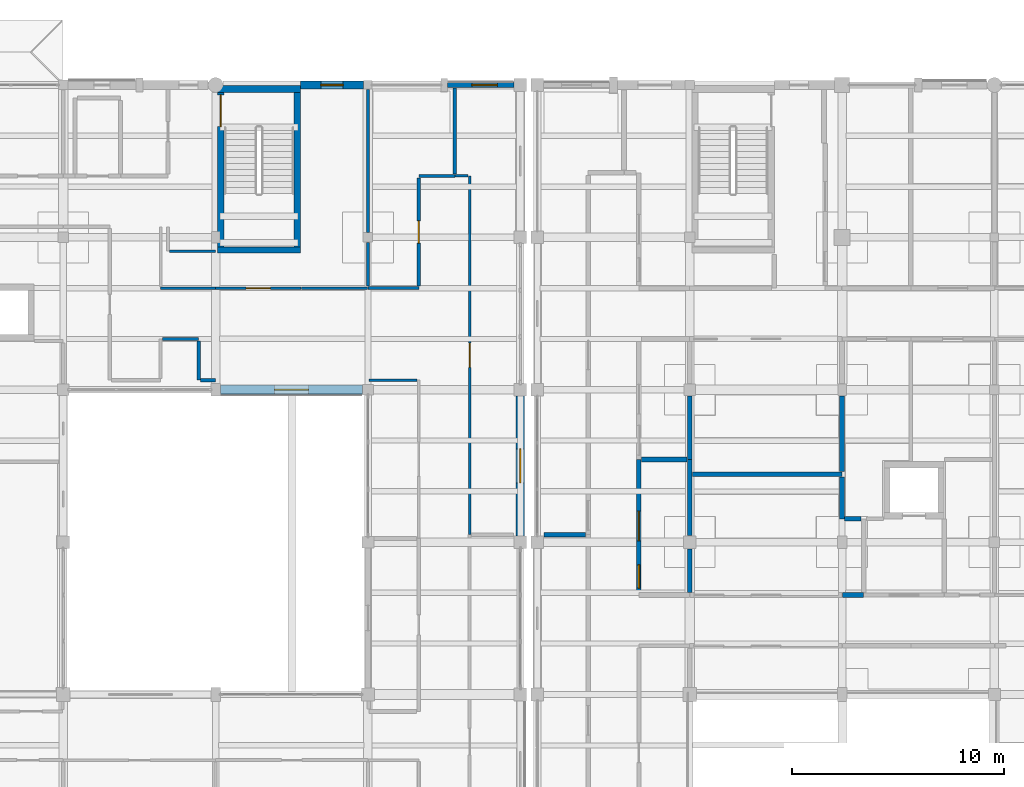
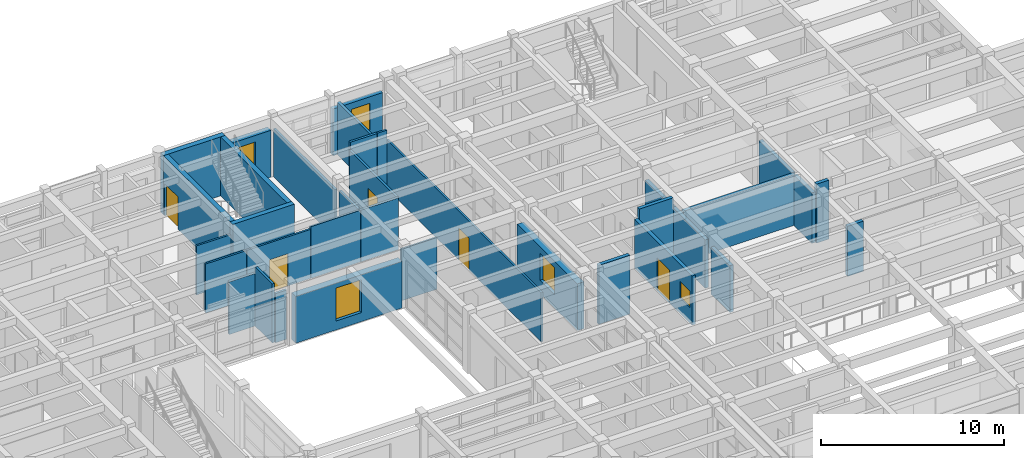
# One storey, part 90 of 110: 35 walls, 5 doors, 5 windows, 10 openings.
"""IFC4 building model written with IfcOpenShell, lengths in metres."""

import ifcopenshell
import ifcopenshell.guid

model = None  # the IFC model being written
_history = None  # IfcOwnerHistory: only IFC2X3 demands one
_inside = {}  # id of a spatial element -> (the spatial element, [elements in it])
_under = {}  # id of a project, library or spatial element -> (it, [spatial elements below it])
_declared = {}  # id of a project -> (the project, [libraries it declares])
_typed = {}  # id of a type object -> (the type object, [elements of that type])
_made_of = {}  # id of a material, layer set ... -> (it, [elements and type objects made of it])


def new_model(schema):
    """Start an empty IFC model of exactly this schema.

    Asked for "IFC4X3", IfcOpenShell would pick the latest addendum, in which some entities
    have other attributes; the version numbers below select the first issue.
    IFC2X3 requires an IfcOwnerHistory on every rooted entity: one is made here for all.
    """
    global model, _history
    if schema == "IFC4X3":
        model = ifcopenshell.file(schema_version=(4, 3, 0, 0))
    else:
        model = ifcopenshell.file(schema=schema)
    _inside.clear()
    _under.clear()
    _declared.clear()
    _typed.clear()
    _made_of.clear()
    _history = None
    if model.schema == "IFC2X3":
        org = make("IfcOrganization", Name="unknown")
        user = make(
            "IfcPersonAndOrganization",
            ThePerson=make("IfcPerson", FamilyName="unknown"),
            TheOrganization=org,
        )
        app = make(
            "IfcApplication",
            ApplicationDeveloper=org,
            Version="unknown",
            ApplicationFullName="unknown",
            ApplicationIdentifier="unknown",
        )
        _history = make(
            "IfcOwnerHistory",
            OwningUser=user,
            OwningApplication=app,
            ChangeAction="ADDED",
            CreationDate=0,
        )
    return model


def make(cls, **values):
    """One entity of the class cls with the attributes given. An attribute that is None is left unset."""
    return model.create_entity(
        cls, **{name: value for name, value in values.items() if value is not None}
    )


def rooted(cls, **values):
    """An entity with a GlobalId (a new one), such as an element, a storey or a relation."""
    return make(cls, GlobalId=ifcopenshell.guid.new(), OwnerHistory=_history, **values)


def si_unit(unit_type, name, prefix=None):
    """IfcSIUnit, for example si_unit("LENGTHUNIT", "METRE", prefix="MILLI")."""
    return make("IfcSIUnit", UnitType=unit_type, Prefix=prefix, Name=name)


def assignment(units):
    """IfcUnitAssignment: the units of a project."""
    return None if units is None else make("IfcUnitAssignment", Units=units)


def point(xyz):
    """IfcCartesianPoint."""
    return None if xyz is None else make("IfcCartesianPoint", Coordinates=xyz)


def direction(xyz):
    """IfcDirection."""
    return None if xyz is None else make("IfcDirection", DirectionRatios=xyz)


def frame(location, z_axis=None, x_axis=None):
    """IfcAxis2Placement3D, a coordinate frame: its origin and axes. An axis left out is left unset."""
    return make(
        "IfcAxis2Placement3D",
        Location=point(location),
        Axis=direction(z_axis),
        RefDirection=direction(x_axis),
    )


def frame_2d(location, x_axis=None):
    """IfcAxis2Placement2D, a coordinate frame in the plane: its origin and x axis."""
    return make(
        "IfcAxis2Placement2D", Location=point(location), RefDirection=direction(x_axis)
    )


def origin():
    """The frame at (0, 0, 0) with its axes left unset."""
    return frame((0.0, 0.0, 0.0))


def place(relative_to, where):
    """IfcLocalPlacement: puts the frame where relative to a parent placement (None: the world)."""
    return make(
        "IfcLocalPlacement", PlacementRelTo=relative_to, RelativePlacement=where
    )


def context(
    kind, dimensions, precision=None, world=None, true_north=None, identifier=None
):
    """IfcGeometricRepresentationContext, for example the 3D "Model" context."""
    return make(
        "IfcGeometricRepresentationContext",
        ContextIdentifier=identifier,
        ContextType=kind,
        CoordinateSpaceDimension=dimensions,
        Precision=precision,
        WorldCoordinateSystem=world,
        TrueNorth=true_north,
    )


def subcontext(parent, identifier, kind, view, scale=None):
    """IfcGeometricRepresentationSubContext, for example "Body" below "Model"."""
    return make(
        "IfcGeometricRepresentationSubContext",
        ContextIdentifier=identifier,
        ContextType=kind,
        ParentContext=parent,
        TargetScale=scale,
        TargetView=view,
    )


def project(units=None, contexts=None):
    """IfcProject with its units and contexts."""
    return rooted(
        "IfcProject",
        Name="project",
        RepresentationContexts=contexts,
        UnitsInContext=assignment(units),
    )


def spatial(cls, under=None, at=None, **own):
    """A site, building, storey or space (cls), placed at a placement, below another one or the project."""
    s = rooted(cls, ObjectPlacement=at, **own)
    if under is not None:
        _under.setdefault(under.id(), (under, []))[1].append(s)
    return s


def profile(cls, at=None, kind="AREA", **sizes):
    """A parametric profile (cls). Its sizes go by their IFC names, for example OverallWidth=200.0."""
    return make(cls, ProfileType=kind, Position=at, **sizes)


def rectangle(**sizes):
    """IfcRectangleProfileDef."""
    return profile("IfcRectangleProfileDef", **sizes)


def extrude(swept, where, along, depth):
    """IfcExtrudedAreaSolid: the profile swept, set in the frame where, extruded along a direction by depth."""
    return make(
        "IfcExtrudedAreaSolid",
        SweptArea=swept,
        Position=where,
        ExtrudedDirection=direction(along),
        Depth=depth,
    )


def shape(context_of_items, identifier, shape_type, items):
    """IfcShapeRepresentation: the items that make up one representation, for example the "Body"."""
    return make(
        "IfcShapeRepresentation",
        ContextOfItems=context_of_items,
        RepresentationIdentifier=identifier,
        RepresentationType=shape_type,
        Items=items,
    )


def material(Name=None, Category=None):
    """IfcMaterial."""
    return make("IfcMaterial", Name=Name, Category=Category)


def layer(
    of_material, thickness, ventilated=None, Name=None, Category=None, Priority=None
):
    """IfcMaterialLayer: one layer of a wall or slab, of a material (None: an air gap)."""
    return make(
        "IfcMaterialLayer",
        Material=of_material,
        LayerThickness=thickness,
        IsVentilated=ventilated,
        Name=Name,
        Category=Category,
        Priority=Priority,
    )


def layer_set(layers, Name=None):
    """IfcMaterialLayerSet."""
    return make("IfcMaterialLayerSet", MaterialLayers=layers, LayerSetName=Name)


def made_of(thing, what):
    """Note that an element or type object is made of a material, layer set ...; save() writes the relation."""
    if what is not None:
        _made_of.setdefault(what.id(), (what, []))[1].append(thing)
    return thing


def type_object(cls, material=None, **own):
    """A type object (cls), such as IfcWallType, which elements share."""
    return made_of(rooted(cls, **own), material)


def element(
    cls,
    number,
    at=None,
    inside=None,
    cuts=None,
    type_object=None,
    material=None,
    context=None,
    identifier="Body",
    shape_type=None,
    held_by="IfcProductDefinitionShape",
    body=None,
    shapes=None,
    **own,
):
    """One element of the class cls, such as IfcWall. Its Tag is "e" and its number.

    at: its placement. inside: the storey or other place that contains it. cuts: it is an
    opening in that element (IfcRelVoidsElement). A single representation is given by context,
    identifier, shape_type and body (its items); several are given by shapes. held_by: the class
    of the entity that holds the representations. save() writes the other relations.
    """
    e = rooted(cls, Tag="e%d" % number, ObjectPlacement=at, **own)
    if body is not None:
        shapes = [shape(context, identifier, shape_type, body)]
    if shapes is not None:
        e.Representation = make(held_by, Representations=shapes)
    if inside is not None:
        _inside.setdefault(inside.id(), (inside, []))[1].append(e)
    if cuts is not None:
        rooted(
            "IfcRelVoidsElement", RelatingBuildingElement=cuts, RelatedOpeningElement=e
        )
    if type_object is not None:
        _typed.setdefault(type_object.id(), (type_object, []))[1].append(e)
    return made_of(e, material)


def fill(opening, filler):
    """IfcRelFillsElement: the door or window that sits in an opening."""
    return rooted(
        "IfcRelFillsElement",
        RelatingOpeningElement=opening,
        RelatedBuildingElement=filler,
    )


def aggregate(whole, parts):
    """IfcRelAggregates: a whole, such as a stair, and the parts it consists of."""
    return rooted("IfcRelAggregates", RelatingObject=whole, RelatedObjects=parts)


def save(model, path):
    """Write the relations noted so far, then the file.

    IfcRelAggregates (storeys below a building ...), IfcRelContainedInSpatialStructure (elements
    in a storey), IfcRelDefinesByType, IfcRelAssociatesMaterial and IfcRelDeclares: one each for
    every whole, place, type object, material and project.
    """
    for whole, parts in _under.values():
        aggregate(whole, parts)
    for where, things in _inside.values():
        rooted(
            "IfcRelContainedInSpatialStructure",
            RelatedElements=things,
            RelatingStructure=where,
        )
    for kind, things in _typed.values():
        rooted("IfcRelDefinesByType", RelatedObjects=things, RelatingType=kind)
    for what, things in _made_of.values():
        rooted("IfcRelAssociatesMaterial", RelatedObjects=things, RelatingMaterial=what)
    for by, libraries in _declared.values():
        rooted("IfcRelDeclares", RelatingContext=by, RelatedDefinitions=libraries)
    model.write(path)


model = new_model("IFC4")

# Units and contexts
model_context = context("Model", 3, precision=1e-05, world=origin(), true_north=direction((0.0, 1.0)))
body_context = subcontext(model_context, "Body", "Model", "MODEL_VIEW")
ifc_project = project(units=[si_unit("LENGTHUNIT", "METRE"), si_unit("AREAUNIT", "SQUARE_METRE"), si_unit("VOLUMEUNIT", "CUBIC_METRE"), si_unit("PLANEANGLEUNIT", "RADIAN"), si_unit("MASSUNIT", "GRAM", prefix="KILO")], contexts=[model_context])

# Site, building, storey
site_placement = place(None, origin())
site = spatial("IfcSite", under=ifc_project, at=site_placement, CompositionType="ELEMENT")
building_placement = place(site_placement, origin())
building = spatial("IfcBuilding", under=site, at=building_placement, Name="Steenspoor Specialist Clinic", CompositionType="ELEMENT")
storey_placement = place(building_placement, frame((0.0, 0.0, 4.800048828125)))
storey = spatial("IfcBuildingStorey", under=building, at=storey_placement, Name="L01", CompositionType="ELEMENT", Elevation=4.800048828125)

# Wall, opening, window
ifc_material_1 = material(Name="Extruded clay brick masonry", Category="masonry")
ifc_layer_1 = layer(ifc_material_1, 0.3798828125)
ifc_layer_set_1 = layer_set([ifc_layer_1], Name="Extruded clay brick masonry")
wall_type_1 = type_object("IfcWallType", Name="W-BRICK-380", PredefinedType="USERDEFINED", material=ifc_layer_set_1)
wall_1_placement = place(storey_placement, frame((106.800048828125, 108.35009765625, 0.0), z_axis=(0.0, 0.0, 1.0), x_axis=(1.0, 0.0, 0.0)))
wall_1 = element("IfcWall", 1, at=wall_1_placement, inside=storey, type_object=wall_type_1, Name="Exterior Brick Wall EW-V4-L01-0125", ObjectType="CAVITY VENEER", PredefinedType="USERDEFINED", context=body_context, shape_type="SweptSolid", body=[
    extrude(rectangle(XDim=3.0, YDim=0.3798828125, at=frame_2d((1.5, 0.0))), origin(), (0.0, 0.0, 1.0), 3.1298828125),
])
opening_1_placement = place(wall_1_placement, frame((0.97509765625, 0.0, 0.89990234375)))
opening_1 = element("IfcOpeningElement", 2, at=opening_1_placement, cuts=wall_1, Name="Opening WN-04", PredefinedType="OPENING", context=body_context, shape_type="SweptSolid", body=[
    extrude(rectangle(XDim=1.050048828125, YDim=1.800048828125, at=frame_2d((0.52490234375, 0.89990234375))), frame((0.0, 0.199951171875, 0.0), z_axis=(0.0, -1.0, 0.0), x_axis=(1.0, 0.0, 0.0)), (0.0, 0.0, 1.0), 0.39990234375),
])
ifc_material_2 = material(Name="Thermally broken aluminium and low-emissivity glass", Category="aluminium")
window_type_1 = type_object("IfcWindowType", Name="WN-EXT-105X180", PartitioningType="SINGLE_PANEL", PredefinedType="WINDOW", material=ifc_material_2)
window_1_placement = place(opening_1_placement, origin())
window_1 = element("IfcWindow", 3, at=window_1_placement, inside=storey, type_object=window_type_1, Name="Window 0147", OverallHeight=1.800048828125, OverallWidth=1.050048828125, PartitioningType="SINGLE_PANEL", PredefinedType="WINDOW", context=body_context, shape_type="SweptSolid", body=[
    extrude(rectangle(XDim=1.050048828125, YDim=1.800048828125, at=frame_2d((0.52490234375, 0.89990234375))), frame((0.0, 0.030029296875, 0.0), z_axis=(0.0, -1.0, 0.0), x_axis=(1.0, 0.0, 0.0)), (0.0, 0.0, 1.0), 0.06005859375),
])
fill(opening_1, window_1)

ifc_layer_2 = layer(ifc_material_1, 0.409912109375)
ifc_layer_set_2 = layer_set([ifc_layer_2], Name="Extruded clay brick masonry")
wall_type_2 = type_object("IfcWallType", Name="W-BRICK-410", PredefinedType="USERDEFINED", material=ifc_layer_set_2)
wall_2_placement = place(storey_placement, frame((117.199951171875, 93.64990234375, 0.0), z_axis=(0.0, 0.0, 1.0), x_axis=(0.0, -1.0, 0.0)))
wall_2 = element("IfcWall", 4, at=wall_2_placement, inside=storey, type_object=wall_type_2, Name="Exterior Brick Wall EW-V4-L01-0128", ObjectType="CAVITY VENEER", PredefinedType="USERDEFINED", context=body_context, shape_type="SweptSolid", body=[
    extrude(rectangle(XDim=6.599853515625, YDim=0.409912109375, at=frame_2d((3.2998046875, 0.0))), origin(), (0.0, 0.0, 1.0), 3.1298828125),
])
opening_2_placement = place(wall_2_placement, frame((2.5, 0.0, 0.89990234375)))
opening_2 = element("IfcOpeningElement", 5, at=opening_2_placement, cuts=wall_2, Name="Opening WN-07", PredefinedType="OPENING", context=body_context, shape_type="SweptSolid", body=[
    extrude(rectangle(XDim=1.60009765625, YDim=1.800048828125, at=frame_2d((0.800048828125, 0.89990234375))), frame((0.0, 0.21484375, 0.0), z_axis=(0.0, -1.0, 0.0), x_axis=(1.0, 0.0, 0.0)), (0.0, 0.0, 1.0), 0.429931640625),
])
window_type_2 = type_object("IfcWindowType", Name="WN-EXT-160X180", PartitioningType="SINGLE_PANEL", PredefinedType="WINDOW", material=ifc_material_2)
window_2_placement = place(opening_2_placement, origin())
window_2 = element("IfcWindow", 6, at=window_2_placement, inside=storey, type_object=window_type_2, Name="Window 0150", OverallHeight=1.800048828125, OverallWidth=1.60009765625, PartitioningType="SINGLE_PANEL", PredefinedType="WINDOW", context=body_context, shape_type="SweptSolid", body=[
    extrude(rectangle(XDim=1.60009765625, YDim=1.800048828125, at=frame_2d((0.800048828125, 0.89990234375))), frame((0.0, 0.030029296875, 0.0), z_axis=(0.0, -1.0, 0.0), x_axis=(1.0, 0.0, 0.0)), (0.0, 0.0, 1.0), 0.06005859375),
])
fill(opening_2, window_2)

ifc_layer_3 = layer(ifc_material_1, 0.43994140625)
ifc_layer_set_3 = layer_set([ifc_layer_3], Name="Extruded clay brick masonry")
wall_type_3 = type_object("IfcWallType", Name="W-BRICK-440", PredefinedType="USERDEFINED", material=ifc_layer_set_3)
wall_3_placement = place(storey_placement, frame((109.75, 93.949951171875, 0.0), z_axis=(0.0, 0.0, 1.0), x_axis=(-1.0, 0.0, 0.0)))
wall_3 = element("IfcWall", 7, at=wall_3_placement, inside=storey, type_object=wall_type_3, Name="Exterior Brick Wall EW-V4-L01-0135", ObjectType="CAVITY VENEER", PredefinedType="USERDEFINED", context=body_context, shape_type="SweptSolid", body=[
    extrude(rectangle(XDim=6.72509765625, YDim=0.43994140625, at=frame_2d((3.362548828125, 0.0))), origin(), (0.0, 0.0, 1.0), 3.1298828125),
])
opening_3_placement = place(wall_3_placement, frame((2.5625, 0.0, 0.60009765625)))
opening_3 = element("IfcOpeningElement", 8, at=opening_3_placement, cuts=wall_3, Name="Opening WN-16", PredefinedType="OPENING", context=body_context, shape_type="SweptSolid", body=[
    extrude(rectangle(XDim=1.60009765625, YDim=2.199951171875, at=frame_2d((0.800048828125, 1.10009765625))), frame((0.0, 0.22998046875, 0.0), z_axis=(0.0, -1.0, 0.0), x_axis=(1.0, 0.0, 0.0)), (0.0, 0.0, 1.0), 0.4599609375),
])
window_type_3 = type_object("IfcWindowType", Name="WN-EXT-160X220", PartitioningType="SINGLE_PANEL", PredefinedType="WINDOW", material=ifc_material_2)
window_3_placement = place(opening_3_placement, origin())
window_3 = element("IfcWindow", 9, at=window_3_placement, inside=storey, type_object=window_type_3, Name="Window 0159", OverallHeight=2.199951171875, OverallWidth=1.60009765625, PartitioningType="SINGLE_PANEL", PredefinedType="WINDOW", context=body_context, shape_type="SweptSolid", body=[
    extrude(rectangle(XDim=1.60009765625, YDim=2.199951171875, at=frame_2d((0.800048828125, 1.10009765625))), frame((0.0, 0.030029296875, 0.0), z_axis=(0.0, -1.0, 0.0), x_axis=(1.0, 0.0, 0.0)), (0.0, 0.0, 1.0), 0.06005859375),
])
fill(opening_3, window_3)

# Walls
ifc_material_3 = material(Name="Gypsum acoustic clinical partition", Category="gypsum")
ifc_layer_4 = layer(ifc_material_3, 0.14990234375)
ifc_layer_set_4 = layer_set([ifc_layer_4], Name="Gypsum acoustic clinical partition")
wall_type_4 = type_object("IfcWallType", Name="W-CLIN-150", PredefinedType="PARTITIONING", material=ifc_layer_set_4)
wall_4_placement = place(storey_placement, frame((100.2900390625, 96.35009765625, 0.0), z_axis=(0.0, 0.0, 1.0), x_axis=(1.0, 0.0, 0.0)))
element("IfcWall", 10, at=wall_4_placement, inside=storey, type_object=wall_type_4, Name="Interior Partition IW-V4-L01-0917", PredefinedType="PARTITIONING", context=body_context, shape_type="SweptSolid", body=[
    extrude(rectangle(XDim=1.7099609375, YDim=0.14990234375, at=frame_2d((0.85498046875, 0.0))), origin(), (0.0, 0.0, 1.0), 3.514892578125),
])
wall_5_placement = place(storey_placement, frame((102.0, 94.39990234375, 0.0), z_axis=(0.0, 0.0, 1.0), x_axis=(0.0, 1.0, 0.0)))
element("IfcWall", 11, at=wall_5_placement, inside=storey, type_object=wall_type_4, Name="Interior Partition IW-V4-L01-0918", PredefinedType="PARTITIONING", context=body_context, shape_type="SweptSolid", body=[
    extrude(rectangle(XDim=1.860107421875, YDim=0.14990234375, at=frame_2d((0.93017578125, 0.0))), origin(), (0.0, 0.0, 1.0), 3.949951171875),
])
wall_6_placement = place(storey_placement, frame((102.090087890625, 94.39990234375, 0.0), z_axis=(0.0, 0.0, 1.0), x_axis=(1.0, 0.0, 0.0)))
element("IfcWall", 12, at=wall_6_placement, inside=storey, type_object=wall_type_4, Name="Interior Partition IW-V4-L01-0919", PredefinedType="PARTITIONING", context=body_context, shape_type="SweptSolid", body=[
    extrude(rectangle(XDim=0.7099609375, YDim=0.14990234375, at=frame_2d((0.35498046875, 0.0))), origin(), (0.0, 0.0, 1.0), 3.284912109375),
])
wall_7_placement = place(storey_placement, frame((110.0, 98.75, 0.0), z_axis=(0.0, 0.0, 1.0), x_axis=(1.0, 0.0, 0.0)))
element("IfcWall", 13, at=wall_7_placement, inside=storey, type_object=wall_type_4, Name="Interior Partition IW-V4-L01-0920", PredefinedType="PARTITIONING", context=body_context, shape_type="SweptSolid", body=[
    extrude(rectangle(XDim=2.39990234375, YDim=0.14990234375, at=frame_2d((1.199951171875, 0.0))), origin(), (0.0, 0.0, 1.0), 3.454833984375),
])
wall_8_placement = place(storey_placement, frame((112.39990234375, 104.050048828125, 0.0), z_axis=(0.0, 0.0, 1.0), x_axis=(1.0, 0.0, 0.0)))
element("IfcWall", 14, at=wall_8_placement, inside=storey, type_object=wall_type_4, Name="Interior Partition IW-V4-L01-0921", PredefinedType="PARTITIONING", context=body_context, shape_type="SweptSolid", body=[
    extrude(rectangle(XDim=1.7001953125, YDim=0.14990234375, at=frame_2d((0.85009765625, 0.0))), origin(), (0.0, 0.0, 1.0), 3.949951171875),
])

# Wall, opening, door
wall_9_placement = place(storey_placement, frame((112.39990234375, 98.840087890625, 0.0), z_axis=(0.0, 0.0, 1.0), x_axis=(0.0, 1.0, 0.0)))
wall_9 = element("IfcWall", 15, at=wall_9_placement, inside=storey, type_object=wall_type_4, Name="Interior Partition IW-V4-L01-0922", PredefinedType="PARTITIONING", context=body_context, shape_type="SweptSolid", body=[
    extrude(rectangle(XDim=5.119873046875, YDim=0.14990234375, at=frame_2d((2.56005859375, 0.0))), origin(), (0.0, 0.0, 1.0), 3.454833984375),
])
opening_4_placement = place(wall_9_placement, frame((2.034912109375, 0.0, 0.0)))
opening_4 = element("IfcOpeningElement", 16, at=opening_4_placement, cuts=wall_9, Name="Opening D0220", PredefinedType="OPENING", context=body_context, shape_type="SweptSolid", body=[
    extrude(rectangle(XDim=1.050048828125, YDim=2.14990234375, at=frame_2d((0.52490234375, 1.074951171875))), frame((0.0, 0.0849609375, 0.0), z_axis=(0.0, -1.0, 0.0), x_axis=(1.0, 0.0, 0.0)), (0.0, 0.0, 1.0), 0.169921875),
])
ifc_material_4 = material(Name="Solid-core hardwood office door", Category="wood")
door_type_1 = type_object("IfcDoorType", Name="DT-OFF-105X215", OperationType="NOTDEFINED", PredefinedType="DOOR", material=ifc_material_4)
door_1_placement = place(opening_4_placement, origin())
door_1 = element("IfcDoor", 17, at=door_1_placement, inside=storey, type_object=door_type_1, Name="Clinical Door D0220", OperationType="SINGLE_SWING_LEFT", OverallHeight=2.14990234375, OverallWidth=1.050048828125, PredefinedType="DOOR", context=body_context, shape_type="SweptSolid", body=[
    extrude(rectangle(XDim=1.050048828125, YDim=2.14990234375, at=frame_2d((0.52490234375, 1.074951171875))), frame((0.0, 0.02490234375, 0.0), z_axis=(0.0, -1.0, 0.0), x_axis=(1.0, 0.0, 0.0)), (0.0, 0.0, 1.0), 0.050048828125),
])
fill(opening_4, door_1)

# Walls
wall_10_placement = place(storey_placement, frame((114.10009765625, 104.139892578125, 0.0), z_axis=(0.0, 0.0, 1.0), x_axis=(0.0, 1.0, 0.0)))
element("IfcWall", 18, at=wall_10_placement, inside=storey, type_object=wall_type_4, Name="Interior Partition IW-V4-L01-1202", PredefinedType="PARTITIONING", context=body_context, shape_type="SweptSolid", body=[
    extrude(rectangle(XDim=4.065185546875, YDim=0.14990234375, at=frame_2d((2.03271484375, 0.0))), origin(), (0.0, 0.0, 1.0), 3.514892578125),
])
wall_11_placement = place(storey_placement, frame((110.0, 98.840087890625, 0.0), z_axis=(0.0, 0.0, 1.0), x_axis=(0.0, 1.0, 0.0)))
element("IfcWall", 19, at=wall_11_placement, inside=storey, type_object=wall_type_4, Name="Interior Partition IW-V4-L01-1203", PredefinedType="PARTITIONING", context=body_context, shape_type="SweptSolid", body=[
    extrude(rectangle(XDim=2.06982421875, YDim=0.14990234375, at=frame_2d((1.034912109375, 0.0))), origin(), (0.0, 0.0, 1.0), 3.454833984375),
])
wall_12_placement = place(storey_placement, frame((110.0, 101.389892578125, 0.0), z_axis=(0.0, 0.0, 1.0), x_axis=(0.0, 1.0, 0.0)))
element("IfcWall", 20, at=wall_12_placement, inside=storey, type_object=wall_type_4, Name="Interior Partition IW-V4-L01-1204", PredefinedType="PARTITIONING", context=body_context, shape_type="SweptSolid", body=[
    extrude(rectangle(XDim=6.7451171875, YDim=0.14990234375, at=frame_2d((3.37255859375, 0.0))), origin(), (0.0, 0.0, 1.0), 3.21484375),
])
ifc_material_5 = material(Name="Concrete C40/50", Category="concrete")
ifc_layer_5 = layer(ifc_material_5, 0.330078125)
ifc_layer_set_5 = layer_set([ifc_layer_5], Name="Concrete C40/50")
wall_type_5 = type_object("IfcWallType", Name="W-ESW-330", PredefinedType="SHEAR", material=ifc_layer_set_5)
wall_13_placement = place(storey_placement, frame((102.89990234375, 108.14990234375, 0.0), z_axis=(0.0, 0.0, 1.0), x_axis=(1.0, 0.0, 0.0)))
element("IfcWall", 21, at=wall_13_placement, inside=storey, type_object=wall_type_5, Name="Core Shear Wall SW-ST-V4B-L01-N", PredefinedType="SHEAR", context=body_context, shape_type="SweptSolid", body=[
    extrude(rectangle(XDim=3.900146484375, YDim=0.330078125, at=frame_2d((1.9501953125, 0.0))), origin(), (0.0, 0.0, 1.0), 3.949951171875),
])

# Wall, openings, door, window
ifc_material_6 = material(Name="Fire-rated clay blockwork masonry", Category="masonry")
ifc_layer_6 = layer(ifc_material_6, 0.219970703125)
ifc_layer_set_6 = layer_set([ifc_layer_6], Name="Fire-rated clay blockwork masonry")
wall_type_6 = type_object("IfcWallType", Name="W-FIRE-220", PredefinedType="PARTITIONING", material=ifc_layer_set_6)
wall_14_placement = place(storey_placement, frame((122.800048828125, 84.375, 0.0), z_axis=(0.0, 0.0, 1.0), x_axis=(0.0, 1.0, 0.0)))
wall_14 = element("IfcWall", 22, at=wall_14_placement, inside=storey, type_object=wall_type_6, Name="Interior Partition IW-V6-L01-0715", PredefinedType="PARTITIONING", context=body_context, shape_type="SweptSolid", body=[
    extrude(rectangle(XDim=6.27490234375, YDim=0.219970703125, at=frame_2d((3.137451171875, 0.0))), origin(), (0.0, 0.0, 1.0), 3.284912109375),
])
opening_5_placement = place(wall_14_placement, frame((2.4375, 0.0, 0.0)))
opening_5 = element("IfcOpeningElement", 23, at=opening_5_placement, cuts=wall_14, Name="Opening D0439", PredefinedType="OPENING", context=body_context, shape_type="SweptSolid", body=[
    extrude(rectangle(XDim=1.39990234375, YDim=2.199951171875, at=frame_2d((0.699951171875, 1.10009765625))), frame((0.0, 0.1201171875, 0.0), z_axis=(0.0, -1.0, 0.0), x_axis=(1.0, 0.0, 0.0)), (0.0, 0.0, 1.0), 0.239990234375),
])
opening_6_placement = place(wall_14_placement, frame((0.199951171875, 0.0, 1.050048828125)))
opening_6 = element("IfcOpeningElement", 24, at=opening_6_placement, cuts=wall_14, Name="Opening IWN-02", PredefinedType="OPENING", context=body_context, shape_type="SweptSolid", body=[
    extrude(rectangle(XDim=1.10009765625, YDim=1.10009765625, at=frame_2d((0.550048828125, 0.550048828125))), frame((0.0, 0.1201171875, 0.0), z_axis=(0.0, -1.0, 0.0), x_axis=(1.0, 0.0, 0.0)), (0.0, 0.0, 1.0), 0.239990234375),
])
ifc_material_7 = material(Name="Fire-rated clinical laminate door", Category="steel")
door_type_2 = type_object("IfcDoorType", Name="DT-LAB-140X220", OperationType="NOTDEFINED", PredefinedType="DOOR", material=ifc_material_7)
door_2_placement = place(opening_5_placement, origin())
door_2 = element("IfcDoor", 25, at=door_2_placement, inside=storey, type_object=door_type_2, Name="Clinical Door D0439", OperationType="SINGLE_SWING_RIGHT", OverallHeight=2.199951171875, OverallWidth=1.39990234375, PredefinedType="DOOR", context=body_context, shape_type="SweptSolid", body=[
    extrude(rectangle(XDim=1.39990234375, YDim=2.199951171875, at=frame_2d((0.699951171875, 1.10009765625))), frame((0.0, 0.02490234375, 0.0), z_axis=(0.0, -1.0, 0.0), x_axis=(1.0, 0.0, 0.0)), (0.0, 0.0, 1.0), 0.050048828125),
])
fill(opening_5, door_2)
window_type_4 = type_object("IfcWindowType", Name="IWND-OBS-110X110", PartitioningType="SINGLE_PANEL", PredefinedType="WINDOW", material=ifc_material_2)
window_4_placement = place(opening_6_placement, origin())
window_4 = element("IfcWindow", 26, at=window_4_placement, inside=storey, type_object=window_type_4, Name="Observation Window 014", OverallHeight=1.10009765625, OverallWidth=1.10009765625, PartitioningType="SINGLE_PANEL", PredefinedType="WINDOW", context=body_context, shape_type="SweptSolid", body=[
    extrude(rectangle(XDim=1.10009765625, YDim=1.10009765625, at=frame_2d((0.550048828125, 0.550048828125))), frame((0.0, 0.030029296875, 0.0), z_axis=(0.0, -1.0, 0.0), x_axis=(1.0, 0.0, 0.0)), (0.0, 0.0, 1.0), 0.06005859375),
])
fill(opening_6, window_4)

# Walls
wall_15_placement = place(storey_placement, frame((132.4150390625, 84.25, 0.0), z_axis=(0.0, 0.0, 1.0), x_axis=(1.0, 0.0, 0.0)))
element("IfcWall", 27, at=wall_15_placement, inside=storey, type_object=wall_type_6, Name="Interior Partition IW-V6-L01-0717", PredefinedType="PARTITIONING", context=body_context, shape_type="SweptSolid", body=[
    extrude(rectangle(XDim=0.994873046875, YDim=0.219970703125, at=frame_2d((0.49755859375, 0.0))), origin(), (0.0, 0.0, 1.0), 3.35498046875),
])
wall_16_placement = place(storey_placement, frame((118.31494140625, 87.10009765625, 0.0), z_axis=(0.0, 0.0, 1.0), x_axis=(1.0, 0.0, 0.0)))
element("IfcWall", 28, at=wall_16_placement, inside=storey, type_object=wall_type_6, Name="Interior Partition IW-V6-L01-1038", PredefinedType="PARTITIONING", context=body_context, shape_type="SweptSolid", body=[
    extrude(rectangle(XDim=1.9599609375, YDim=0.219970703125, at=frame_2d((0.97998046875, 0.0))), origin(), (0.0, 0.0, 1.0), 3.949951171875),
])
wall_17_placement = place(storey_placement, frame((125.199951171875, 84.375, 0.0), z_axis=(0.0, 0.0, 1.0), x_axis=(0.0, 1.0, 0.0)))
element("IfcWall", 29, at=wall_17_placement, inside=storey, type_object=wall_type_6, Name="Interior Partition IW-V6-L01-1053", PredefinedType="PARTITIONING", context=body_context, shape_type="SweptSolid", body=[
    extrude(rectangle(XDim=2.06005859375, YDim=0.219970703125, at=frame_2d((1.030029296875, 0.0))), origin(), (0.0, 0.0, 1.0), 3.135009765625),
])
wall_18_placement = place(storey_placement, frame((125.199951171875, 87.06494140625, 0.0), z_axis=(0.0, 0.0, 1.0), x_axis=(0.0, 1.0, 0.0)))
element("IfcWall", 30, at=wall_18_placement, inside=storey, type_object=wall_type_6, Name="Interior Partition IW-V6-L01-1054", PredefinedType="PARTITIONING", context=body_context, shape_type="SweptSolid", body=[
    extrude(rectangle(XDim=3.5849609375, YDim=0.219970703125, at=frame_2d((1.79248046875, 0.0))), origin(), (0.0, 0.0, 1.0), 3.23486328125),
])
wall_19_placement = place(storey_placement, frame((122.925048828125, 90.64990234375, 0.0), z_axis=(0.0, 0.0, 1.0), x_axis=(1.0, 0.0, 0.0)))
element("IfcWall", 31, at=wall_19_placement, inside=storey, type_object=wall_type_6, Name="Interior Partition IW-V6-L01-1055", PredefinedType="PARTITIONING", context=body_context, shape_type="SweptSolid", body=[
    extrude(rectangle(XDim=2.14990234375, YDim=0.219970703125, at=frame_2d((1.074951171875, 0.0))), origin(), (0.0, 0.0, 1.0), 3.949951171875),
])
wall_20_placement = place(storey_placement, frame((125.324951171875, 89.949951171875, 0.0), z_axis=(0.0, 0.0, 1.0), x_axis=(1.0, 0.0, 0.0)))
element("IfcWall", 32, at=wall_20_placement, inside=storey, type_object=wall_type_6, Name="Interior Partition IW-V6-L01-1056", PredefinedType="PARTITIONING", context=body_context, shape_type="SweptSolid", body=[
    extrude(rectangle(XDim=7.074951171875, YDim=0.219970703125, at=frame_2d((3.53759765625, 0.0))), origin(), (0.0, 0.0, 1.0), 3.385009765625),
])
wall_21_placement = place(storey_placement, frame((132.39990234375, 87.85009765625, 0.0), z_axis=(0.0, 0.0, 1.0), x_axis=(0.0, 1.0, 0.0)))
element("IfcWall", 33, at=wall_21_placement, inside=storey, type_object=wall_type_6, Name="Interior Partition IW-V6-L01-1057", PredefinedType="PARTITIONING", context=body_context, shape_type="SweptSolid", body=[
    extrude(rectangle(XDim=1.974853515625, YDim=0.219970703125, at=frame_2d((0.9873046875, 0.0))), origin(), (0.0, 0.0, 1.0), 3.385009765625),
])
wall_22_placement = place(storey_placement, frame((132.52490234375, 87.85009765625, 0.0), z_axis=(0.0, 0.0, 1.0), x_axis=(1.0, 0.0, 0.0)))
element("IfcWall", 34, at=wall_22_placement, inside=storey, type_object=wall_type_6, Name="Interior Partition IW-V6-L01-1058", PredefinedType="PARTITIONING", context=body_context, shape_type="SweptSolid", body=[
    extrude(rectangle(XDim=0.775146484375, YDim=0.219970703125, at=frame_2d((0.3876953125, 0.0))), origin(), (0.0, 0.0, 1.0), 3.949951171875),
])
wall_23_placement = place(storey_placement, frame((132.39990234375, 90.074951171875, 0.0), z_axis=(0.0, 0.0, 1.0), x_axis=(0.0, 1.0, 0.0)))
element("IfcWall", 35, at=wall_23_placement, inside=storey, type_object=wall_type_6, Name="Interior Partition IW-V6-L01-1064", PredefinedType="PARTITIONING", context=body_context, shape_type="SweptSolid", body=[
    extrude(rectangle(XDim=3.5849609375, YDim=0.219970703125, at=frame_2d((1.79248046875, 0.0))), origin(), (0.0, 0.0, 1.0), 3.385009765625),
])
wall_24_placement = place(storey_placement, frame((125.199951171875, 90.6650390625, 0.0), z_axis=(0.0, 0.0, 1.0), x_axis=(0.0, 1.0, 0.0)))
element("IfcWall", 36, at=wall_24_placement, inside=storey, type_object=wall_type_6, Name="Interior Partition IW-V6-L01-1066", PredefinedType="PARTITIONING", context=body_context, shape_type="SweptSolid", body=[
    extrude(rectangle(XDim=2.994873046875, YDim=0.219970703125, at=frame_2d((1.49755859375, 0.0))), origin(), (0.0, 0.0, 1.0), 3.23486328125),
])
ifc_material_8 = material(Name="Gypsum studio partition board", Category="gypsum")
ifc_layer_7 = layer(ifc_material_8, 0.1201171875)
ifc_layer_set_7 = layer_set([ifc_layer_7], Name="Gypsum studio partition board")
wall_type_7 = type_object("IfcWallType", Name="W-PART-120", PredefinedType="PARTITIONING", material=ifc_layer_set_7)
wall_25_placement = place(storey_placement, frame((110.0400390625, 94.39990234375, 0.0), z_axis=(0.0, 0.0, 1.0), x_axis=(1.0, 0.0, 0.0)))
element("IfcWall", 37, at=wall_25_placement, inside=storey, type_object=wall_type_7, Name="Interior Partition IW-V4-L01-0997", PredefinedType="PARTITIONING", context=body_context, shape_type="SweptSolid", body=[
    extrude(rectangle(XDim=2.284912109375, YDim=0.1201171875, at=frame_2d((1.142578125, 0.0))), origin(), (0.0, 0.0, 1.0), 3.454833984375),
])

# Wall, opening, door
wall_26_placement = place(storey_placement, frame((114.800048828125, 87.114990234375, 0.0), z_axis=(0.0, 0.0, 1.0), x_axis=(0.0, 1.0, 0.0)))
wall_26 = element("IfcWall", 38, at=wall_26_placement, inside=storey, type_object=wall_type_7, Name="Interior Partition IW-V4-L01-0998", PredefinedType="PARTITIONING", context=body_context, shape_type="SweptSolid", body=[
    extrude(rectangle(XDim=16.93505859375, YDim=0.1201171875, at=frame_2d((8.467529296875, 0.0))), origin(), (0.0, 0.0, 1.0), 3.284912109375),
])
opening_7_placement = place(wall_26_placement, frame((7.892578125, 0.0, 0.0)))
opening_7 = element("IfcOpeningElement", 39, at=opening_7_placement, cuts=wall_26, Name="Opening D0213", PredefinedType="OPENING", context=body_context, shape_type="SweptSolid", body=[
    extrude(rectangle(XDim=1.14990234375, YDim=2.14990234375, at=frame_2d((0.574951171875, 1.074951171875))), frame((0.0, 0.070068359375, 0.0), z_axis=(0.0, -1.0, 0.0), x_axis=(1.0, 0.0, 0.0)), (0.0, 0.0, 1.0), 0.14013671875),
])
ifc_material_9 = material(Name="Solid-core hardwood clinical door", Category="wood")
door_type_3 = type_object("IfcDoorType", Name="DT-CONS-115X215", OperationType="NOTDEFINED", PredefinedType="DOOR", material=ifc_material_9)
door_3_placement = place(opening_7_placement, origin())
door_3 = element("IfcDoor", 40, at=door_3_placement, inside=storey, type_object=door_type_3, Name="Clinical Door D0213", OperationType="SINGLE_SWING_RIGHT", OverallHeight=2.14990234375, OverallWidth=1.14990234375, PredefinedType="DOOR", context=body_context, shape_type="SweptSolid", body=[
    extrude(rectangle(XDim=1.14990234375, YDim=2.14990234375, at=frame_2d((0.574951171875, 1.074951171875))), frame((0.0, 0.02490234375, 0.0), z_axis=(0.0, -1.0, 0.0), x_axis=(1.0, 0.0, 0.0)), (0.0, 0.0, 1.0), 0.050048828125),
])
fill(opening_7, door_3)

# Walls
wall_27_placement = place(storey_placement, frame((114.114990234375, 104.050048828125, 0.0), z_axis=(0.0, 0.0, 1.0), x_axis=(1.0, 0.0, 0.0)))
element("IfcWall", 41, at=wall_27_placement, inside=storey, type_object=wall_type_7, Name="Interior Partition IW-V4-L01-0999", PredefinedType="PARTITIONING", context=body_context, shape_type="SweptSolid", body=[
    extrude(rectangle(XDim=0.610107421875, YDim=0.1201171875, at=frame_2d((0.30517578125, 0.0))), origin(), (0.0, 0.0, 1.0), 3.949951171875),
])
wall_28_placement = place(storey_placement, frame((100.625, 100.5, 0.0), z_axis=(0.0, 0.0, 1.0), x_axis=(1.0, 0.0, 0.0)))
element("IfcWall", 42, at=wall_28_placement, inside=storey, type_object=wall_type_7, Name="Interior Partition IW-V4-L01-1013", PredefinedType="PARTITIONING", context=body_context, shape_type="SweptSolid", body=[
    extrude(rectangle(XDim=2.175048828125, YDim=0.1201171875, at=frame_2d((1.08740234375, 0.0))), origin(), (0.0, 0.0, 1.0), 3.284912109375),
])
wall_29_placement = place(storey_placement, frame((106.85009765625, 98.75, 0.0), z_axis=(0.0, 0.0, 1.0), x_axis=(1.0, 0.0, 0.0)))
element("IfcWall", 43, at=wall_29_placement, inside=storey, type_object=wall_type_7, Name="Interior Partition IW-V4-L01-1014", PredefinedType="PARTITIONING", context=body_context, shape_type="SweptSolid", body=[
    extrude(rectangle(XDim=3.135009765625, YDim=0.1201171875, at=frame_2d((1.5673828125, 0.0))), origin(), (0.0, 0.0, 1.0), 3.454833984375),
])

# Wall, opening, door
wall_30_placement = place(storey_placement, frame((102.800048828125, 98.75, 0.0), z_axis=(0.0, 0.0, 1.0), x_axis=(1.0, 0.0, 0.0)))
wall_30 = element("IfcWall", 44, at=wall_30_placement, inside=storey, type_object=wall_type_7, Name="Interior Partition IW-V4-L01-1015", PredefinedType="PARTITIONING", context=body_context, shape_type="SweptSolid", body=[
    extrude(rectangle(XDim=4.034912109375, YDim=0.1201171875, at=frame_2d((2.017578125, 0.0))), origin(), (0.0, 0.0, 1.0), 3.284912109375),
])
opening_8_placement = place(wall_30_placement, frame((1.4423828125, 0.0, 0.0)))
opening_8 = element("IfcOpeningElement", 45, at=opening_8_placement, cuts=wall_30, Name="Opening D0219", PredefinedType="OPENING", context=body_context, shape_type="SweptSolid", body=[
    extrude(rectangle(XDim=1.14990234375, YDim=2.14990234375, at=frame_2d((0.574951171875, 1.074951171875))), frame((0.0, 0.070068359375, 0.0), z_axis=(0.0, -1.0, 0.0), x_axis=(1.0, 0.0, 0.0)), (0.0, 0.0, 1.0), 0.14013671875),
])
door_4_placement = place(opening_8_placement, origin())
door_4 = element("IfcDoor", 46, at=door_4_placement, inside=storey, type_object=door_type_3, Name="Clinical Door D0219", OperationType="SINGLE_SWING_RIGHT", OverallHeight=2.14990234375, OverallWidth=1.14990234375, PredefinedType="DOOR", context=body_context, shape_type="SweptSolid", body=[
    extrude(rectangle(XDim=1.14990234375, YDim=2.14990234375, at=frame_2d((0.574951171875, 1.074951171875))), frame((0.0, 0.02490234375, 0.0), z_axis=(0.0, -1.0, 0.0), x_axis=(1.0, 0.0, 0.0)), (0.0, 0.0, 1.0), 0.050048828125),
])
fill(opening_8, door_4)

# Wall
wall_31_placement = place(storey_placement, frame((100.199951171875, 98.75, 0.0), z_axis=(0.0, 0.0, 1.0), x_axis=(1.0, 0.0, 0.0)))
element("IfcWall", 47, at=wall_31_placement, inside=storey, type_object=wall_type_7, Name="Interior Partition IW-V4-L01-1016", PredefinedType="PARTITIONING", context=body_context, shape_type="SweptSolid", body=[
    extrude(rectangle(XDim=2.5849609375, YDim=0.1201171875, at=frame_2d((1.29248046875, 0.0))), origin(), (0.0, 0.0, 1.0), 3.284912109375),
])

# Wall, opening, window
ifc_layer_8 = layer(ifc_material_1, 0.260009765625)
ifc_layer_set_8 = layer_set([ifc_layer_8], Name="Extruded clay brick masonry")
wall_type_8 = type_object("IfcWallType", Name="W-SCREEN-260", PredefinedType="SOLIDWALL", material=ifc_layer_set_8)
wall_32_placement = place(storey_placement, frame((113.75, 108.35009765625, 0.0), z_axis=(0.0, 0.0, 1.0), x_axis=(1.0, 0.0, 0.0)))
wall_32 = element("IfcWall", 48, at=wall_32_placement, inside=storey, type_object=wall_type_8, Name="Exterior Brick Wall EW-V4-L01-0126", PredefinedType="SOLIDWALL", context=body_context, shape_type="SweptSolid", body=[
    extrude(rectangle(XDim=3.14990234375, YDim=0.260009765625, at=frame_2d((1.574951171875, 0.0))), origin(), (0.0, 0.0, 1.0), 3.1298828125),
])
opening_9_placement = place(wall_32_placement, frame((1.159912109375, 0.0, 0.89990234375)))
opening_9 = element("IfcOpeningElement", 49, at=opening_9_placement, cuts=wall_32, Name="Opening WN-05", PredefinedType="OPENING", context=body_context, shape_type="SweptSolid", body=[
    extrude(rectangle(XDim=1.199951171875, YDim=1.800048828125, at=frame_2d((0.60009765625, 0.89990234375))), frame((0.0, 0.14013671875, 0.0), z_axis=(0.0, -1.0, 0.0), x_axis=(1.0, 0.0, 0.0)), (0.0, 0.0, 1.0), 0.280029296875),
])
window_type_5 = type_object("IfcWindowType", Name="WN-EXT-120X180", PartitioningType="SINGLE_PANEL", PredefinedType="WINDOW", material=ifc_material_2)
window_5_placement = place(opening_9_placement, origin())
window_5 = element("IfcWindow", 50, at=window_5_placement, inside=storey, type_object=window_type_5, Name="Window 0148", OverallHeight=1.800048828125, OverallWidth=1.199951171875, PartitioningType="SINGLE_PANEL", PredefinedType="WINDOW", context=body_context, shape_type="SweptSolid", body=[
    extrude(rectangle(XDim=1.199951171875, YDim=1.800048828125, at=frame_2d((0.60009765625, 0.89990234375))), frame((0.0, 0.030029296875, 0.0), z_axis=(0.0, -1.0, 0.0), x_axis=(1.0, 0.0, 0.0)), (0.0, 0.0, 1.0), 0.06005859375),
])
fill(opening_9, window_5)

# Wall
ifc_layer_9 = layer(ifc_material_5, 0.300048828125)
ifc_layer_set_9 = layer_set([ifc_layer_9], Name="Concrete C40/50")
wall_type_9 = type_object("IfcWallType", Name="W-SW-300", PredefinedType="SHEAR", material=ifc_layer_set_9)
wall_33_placement = place(storey_placement, frame((102.89990234375, 100.550048828125, 0.0), z_axis=(0.0, 0.0, 1.0), x_axis=(1.0, 0.0, 0.0)))
element("IfcWall", 51, at=wall_33_placement, inside=storey, type_object=wall_type_9, Name="Core Shear Wall SW-ST-V4B-L01-S", PredefinedType="SHEAR", context=body_context, shape_type="SweptSolid", body=[
    extrude(rectangle(XDim=3.900146484375, YDim=0.300048828125, at=frame_2d((1.9501953125, 0.0))), origin(), (0.0, 0.0, 1.0), 3.949951171875),
])

# Wall, opening, door
wall_34_placement = place(storey_placement, frame((103.050048828125, 100.699951171875, 0.0), z_axis=(0.0, 0.0, 1.0), x_axis=(0.0, 1.0, 0.0)))
wall_34 = element("IfcWall", 52, at=wall_34_placement, inside=storey, type_object=wall_type_9, Name="Core Shear Wall SW-ST-V4B-L01-W", PredefinedType="SHEAR", context=body_context, shape_type="SweptSolid", body=[
    extrude(rectangle(XDim=7.300048828125, YDim=0.300048828125, at=frame_2d((3.64990234375, 0.0))), origin(), (0.0, 0.0, 1.0), 3.949951171875),
])
opening_10_placement = place(wall_34_placement, frame((5.679931640625, 0.0, 0.0)))
opening_10 = element("IfcOpeningElement", 53, at=opening_10_placement, cuts=wall_34, Name="Opening SD016", PredefinedType="OPENING", context=body_context, shape_type="SweptSolid", body=[
    extrude(rectangle(XDim=1.5, YDim=2.14990234375, at=frame_2d((0.75, 1.074951171875))), frame((0.0, 0.16015625, 0.0), z_axis=(0.0, -1.0, 0.0), x_axis=(1.0, 0.0, 0.0)), (0.0, 0.0, 1.0), 0.320068359375),
])
ifc_material_10 = material(Name="Fire-rated steel acoustic door", Category="steel")
door_type_4 = type_object("IfcDoorType", Name="DT-STAIR-150X215", OperationType="NOTDEFINED", PredefinedType="DOOR", material=ifc_material_10)
door_5_placement = place(opening_10_placement, origin())
door_5 = element("IfcDoor", 54, at=door_5_placement, inside=storey, type_object=door_type_4, Name="Exit Stair Fire Door SD016", OperationType="SINGLE_SWING_LEFT", OverallHeight=2.14990234375, OverallWidth=1.5, PredefinedType="DOOR", context=body_context, shape_type="SweptSolid", body=[
    extrude(rectangle(XDim=1.5, YDim=2.14990234375, at=frame_2d((0.75, 1.074951171875))), frame((0.0, 0.02490234375, 0.0), z_axis=(0.0, -1.0, 0.0), x_axis=(1.0, 0.0, 0.0)), (0.0, 0.0, 1.0), 0.050048828125),
])
fill(opening_10, door_5)

# Wall
wall_35_placement = place(storey_placement, frame((106.64990234375, 100.699951171875, 0.0), z_axis=(0.0, 0.0, 1.0), x_axis=(0.0, 1.0, 0.0)))
element("IfcWall", 55, at=wall_35_placement, inside=storey, type_object=wall_type_9, Name="Core Shear Wall SW-ST-V4B-L01-E", PredefinedType="SHEAR", context=body_context, shape_type="SweptSolid", body=[
    extrude(rectangle(XDim=7.300048828125, YDim=0.300048828125, at=frame_2d((3.64990234375, 0.0))), origin(), (0.0, 0.0, 1.0), 3.949951171875),
])

save(model, "model.ifc")
